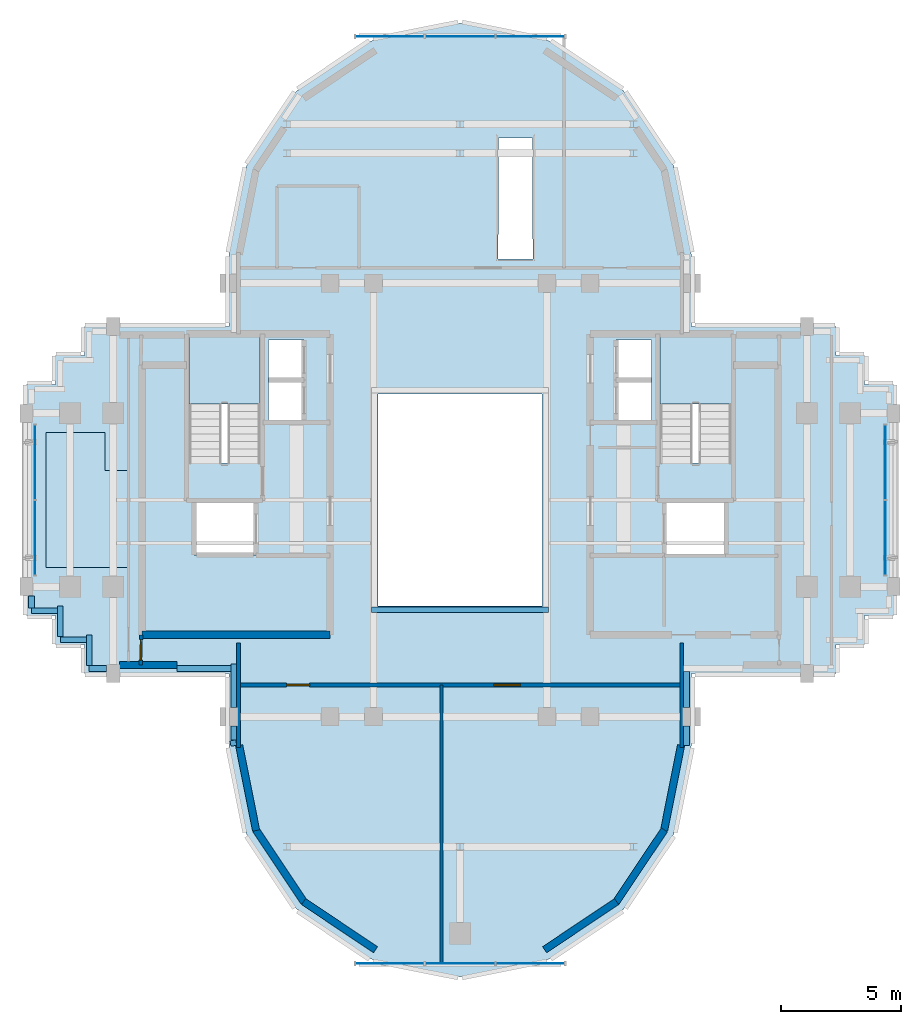
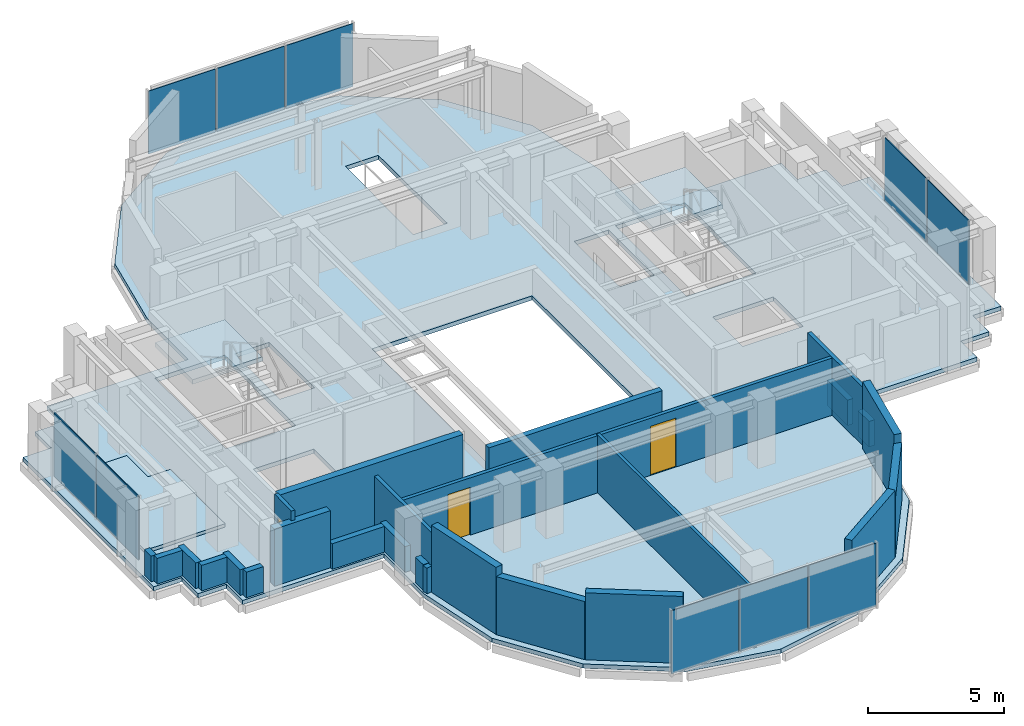
# One storey, part 7 of 12: 26 walls, 10 plates, 4 slabs, 3 doors, 3 openings, 6 elements without a shape of their own.
"""IFC4 building model written with IfcOpenShell, lengths in metres."""

import ifcopenshell
import ifcopenshell.guid

model = None  # the IFC model being written
_history = None  # IfcOwnerHistory: only IFC2X3 demands one
_inside = {}  # id of a spatial element -> (the spatial element, [elements in it])
_under = {}  # id of a project, library or spatial element -> (it, [spatial elements below it])
_declared = {}  # id of a project -> (the project, [libraries it declares])
_typed = {}  # id of a type object -> (the type object, [elements of that type])
_made_of = {}  # id of a material, layer set ... -> (it, [elements and type objects made of it])


def new_model(schema):
    """Start an empty IFC model of exactly this schema.

    Asked for "IFC4X3", IfcOpenShell would pick the latest addendum, in which some entities
    have other attributes; the version numbers below select the first issue.
    IFC2X3 requires an IfcOwnerHistory on every rooted entity: one is made here for all.
    """
    global model, _history
    if schema == "IFC4X3":
        model = ifcopenshell.file(schema_version=(4, 3, 0, 0))
    else:
        model = ifcopenshell.file(schema=schema)
    _inside.clear()
    _under.clear()
    _declared.clear()
    _typed.clear()
    _made_of.clear()
    _history = None
    if model.schema == "IFC2X3":
        org = make("IfcOrganization", Name="unknown")
        user = make(
            "IfcPersonAndOrganization",
            ThePerson=make("IfcPerson", FamilyName="unknown"),
            TheOrganization=org,
        )
        app = make(
            "IfcApplication",
            ApplicationDeveloper=org,
            Version="unknown",
            ApplicationFullName="unknown",
            ApplicationIdentifier="unknown",
        )
        _history = make(
            "IfcOwnerHistory",
            OwningUser=user,
            OwningApplication=app,
            ChangeAction="ADDED",
            CreationDate=0,
        )
    return model


def make(cls, **values):
    """One entity of the class cls with the attributes given. An attribute that is None is left unset."""
    return model.create_entity(
        cls, **{name: value for name, value in values.items() if value is not None}
    )


def rooted(cls, **values):
    """An entity with a GlobalId (a new one), such as an element, a storey or a relation."""
    return make(cls, GlobalId=ifcopenshell.guid.new(), OwnerHistory=_history, **values)


def si_unit(unit_type, name, prefix=None):
    """IfcSIUnit, for example si_unit("LENGTHUNIT", "METRE", prefix="MILLI")."""
    return make("IfcSIUnit", UnitType=unit_type, Prefix=prefix, Name=name)


def assignment(units):
    """IfcUnitAssignment: the units of a project."""
    return None if units is None else make("IfcUnitAssignment", Units=units)


def point(xyz):
    """IfcCartesianPoint."""
    return None if xyz is None else make("IfcCartesianPoint", Coordinates=xyz)


def direction(xyz):
    """IfcDirection."""
    return None if xyz is None else make("IfcDirection", DirectionRatios=xyz)


def frame(location, z_axis=None, x_axis=None):
    """IfcAxis2Placement3D, a coordinate frame: its origin and axes. An axis left out is left unset."""
    return make(
        "IfcAxis2Placement3D",
        Location=point(location),
        Axis=direction(z_axis),
        RefDirection=direction(x_axis),
    )


def frame_2d(location, x_axis=None):
    """IfcAxis2Placement2D, a coordinate frame in the plane: its origin and x axis."""
    return make(
        "IfcAxis2Placement2D", Location=point(location), RefDirection=direction(x_axis)
    )


def origin():
    """The frame at (0, 0, 0) with its axes left unset."""
    return frame((0.0, 0.0, 0.0))


def origin_2d():
    """The frame at (0, 0) in the plane with its x axis left unset."""
    return frame_2d((0.0, 0.0))


def place(relative_to, where):
    """IfcLocalPlacement: puts the frame where relative to a parent placement (None: the world)."""
    return make(
        "IfcLocalPlacement", PlacementRelTo=relative_to, RelativePlacement=where
    )


def context(
    kind, dimensions, precision=None, world=None, true_north=None, identifier=None
):
    """IfcGeometricRepresentationContext, for example the 3D "Model" context."""
    return make(
        "IfcGeometricRepresentationContext",
        ContextIdentifier=identifier,
        ContextType=kind,
        CoordinateSpaceDimension=dimensions,
        Precision=precision,
        WorldCoordinateSystem=world,
        TrueNorth=true_north,
    )


def subcontext(parent, identifier, kind, view, scale=None):
    """IfcGeometricRepresentationSubContext, for example "Body" below "Model"."""
    return make(
        "IfcGeometricRepresentationSubContext",
        ContextIdentifier=identifier,
        ContextType=kind,
        ParentContext=parent,
        TargetScale=scale,
        TargetView=view,
    )


def project(units=None, contexts=None):
    """IfcProject with its units and contexts."""
    return rooted(
        "IfcProject",
        Name="project",
        RepresentationContexts=contexts,
        UnitsInContext=assignment(units),
    )


def spatial(cls, under=None, at=None, **own):
    """A site, building, storey or space (cls), placed at a placement, below another one or the project."""
    s = rooted(cls, ObjectPlacement=at, **own)
    if under is not None:
        _under.setdefault(under.id(), (under, []))[1].append(s)
    return s


def polyline(points):
    """IfcPolyline through the points."""
    return make("IfcPolyline", Points=[point(p) for p in points])


def profile(cls, at=None, kind="AREA", **sizes):
    """A parametric profile (cls). Its sizes go by their IFC names, for example OverallWidth=200.0."""
    return make(cls, ProfileType=kind, Position=at, **sizes)


def rectangle(**sizes):
    """IfcRectangleProfileDef."""
    return profile("IfcRectangleProfileDef", **sizes)


def outline(outer, holes=None, kind="AREA"):
    """IfcArbitraryClosedProfileDef: a profile drawn as a closed curve; with holes, ...WithVoids."""
    if holes is None:
        return make("IfcArbitraryClosedProfileDef", ProfileType=kind, OuterCurve=outer)
    return make(
        "IfcArbitraryProfileDefWithVoids",
        ProfileType=kind,
        OuterCurve=outer,
        InnerCurves=holes,
    )


def extrude(swept, where, along, depth):
    """IfcExtrudedAreaSolid: the profile swept, set in the frame where, extruded along a direction by depth."""
    return make(
        "IfcExtrudedAreaSolid",
        SweptArea=swept,
        Position=where,
        ExtrudedDirection=direction(along),
        Depth=depth,
    )


def shape(context_of_items, identifier, shape_type, items):
    """IfcShapeRepresentation: the items that make up one representation, for example the "Body"."""
    return make(
        "IfcShapeRepresentation",
        ContextOfItems=context_of_items,
        RepresentationIdentifier=identifier,
        RepresentationType=shape_type,
        Items=items,
    )


def source(mapping_origin, context_of_items, identifier, shape_type, items):
    """IfcRepresentationMap: a shape defined once, which mapped items show again and again."""
    return make(
        "IfcRepresentationMap",
        MappingOrigin=mapping_origin,
        MappedRepresentation=shape(context_of_items, identifier, shape_type, items),
    )


def transform(
    local_origin,
    x_axis=None,
    y_axis=None,
    z_axis=None,
    scale=None,
    scale2=None,
    scale3=None,
    uniform=True,
):
    """IfcCartesianTransformationOperator3D, or its non-uniform kind. x_axis, y_axis, z_axis: its Axis1, 2, 3."""
    if uniform:
        return make(
            "IfcCartesianTransformationOperator3D",
            Axis1=direction(x_axis),
            Axis2=direction(y_axis),
            LocalOrigin=point(local_origin),
            Scale=scale,
            Axis3=direction(z_axis),
        )
    return make(
        "IfcCartesianTransformationOperator3DnonUniform",
        Axis1=direction(x_axis),
        Axis2=direction(y_axis),
        LocalOrigin=point(local_origin),
        Scale=scale,
        Axis3=direction(z_axis),
        Scale2=scale2,
        Scale3=scale3,
    )


def mapped(mapping_source, mapping_target):
    """IfcMappedItem: shows the shape of a source again, moved by a transform."""
    return make(
        "IfcMappedItem", MappingSource=mapping_source, MappingTarget=mapping_target
    )


def material(Name=None, Category=None):
    """IfcMaterial."""
    return make("IfcMaterial", Name=Name, Category=Category)


def layer(
    of_material, thickness, ventilated=None, Name=None, Category=None, Priority=None
):
    """IfcMaterialLayer: one layer of a wall or slab, of a material (None: an air gap)."""
    return make(
        "IfcMaterialLayer",
        Material=of_material,
        LayerThickness=thickness,
        IsVentilated=ventilated,
        Name=Name,
        Category=Category,
        Priority=Priority,
    )


def layer_set(layers, Name=None):
    """IfcMaterialLayerSet."""
    return make("IfcMaterialLayerSet", MaterialLayers=layers, LayerSetName=Name)


def made_of(thing, what):
    """Note that an element or type object is made of a material, layer set ...; save() writes the relation."""
    if what is not None:
        _made_of.setdefault(what.id(), (what, []))[1].append(thing)
    return thing


def type_object(cls, material=None, **own):
    """A type object (cls), such as IfcWallType, which elements share."""
    return made_of(rooted(cls, **own), material)


def element(
    cls,
    number,
    at=None,
    inside=None,
    cuts=None,
    type_object=None,
    material=None,
    context=None,
    identifier="Body",
    shape_type=None,
    held_by="IfcProductDefinitionShape",
    body=None,
    shapes=None,
    **own,
):
    """One element of the class cls, such as IfcWall. Its Tag is "e" and its number.

    at: its placement. inside: the storey or other place that contains it. cuts: it is an
    opening in that element (IfcRelVoidsElement). A single representation is given by context,
    identifier, shape_type and body (its items); several are given by shapes. held_by: the class
    of the entity that holds the representations. save() writes the other relations.
    """
    e = rooted(cls, Tag="e%d" % number, ObjectPlacement=at, **own)
    if body is not None:
        shapes = [shape(context, identifier, shape_type, body)]
    if shapes is not None:
        e.Representation = make(held_by, Representations=shapes)
    if inside is not None:
        _inside.setdefault(inside.id(), (inside, []))[1].append(e)
    if cuts is not None:
        rooted(
            "IfcRelVoidsElement", RelatingBuildingElement=cuts, RelatedOpeningElement=e
        )
    if type_object is not None:
        _typed.setdefault(type_object.id(), (type_object, []))[1].append(e)
    return made_of(e, material)


def fill(opening, filler):
    """IfcRelFillsElement: the door or window that sits in an opening."""
    return rooted(
        "IfcRelFillsElement",
        RelatingOpeningElement=opening,
        RelatedBuildingElement=filler,
    )


def aggregate(whole, parts):
    """IfcRelAggregates: a whole, such as a stair, and the parts it consists of."""
    return rooted("IfcRelAggregates", RelatingObject=whole, RelatedObjects=parts)


def save(model, path):
    """Write the relations noted so far, then the file.

    IfcRelAggregates (storeys below a building ...), IfcRelContainedInSpatialStructure (elements
    in a storey), IfcRelDefinesByType, IfcRelAssociatesMaterial and IfcRelDeclares: one each for
    every whole, place, type object, material and project.
    """
    for whole, parts in _under.values():
        aggregate(whole, parts)
    for where, things in _inside.values():
        rooted(
            "IfcRelContainedInSpatialStructure",
            RelatedElements=things,
            RelatingStructure=where,
        )
    for kind, things in _typed.values():
        rooted("IfcRelDefinesByType", RelatedObjects=things, RelatingType=kind)
    for what, things in _made_of.values():
        rooted("IfcRelAssociatesMaterial", RelatedObjects=things, RelatingMaterial=what)
    for by, libraries in _declared.values():
        rooted("IfcRelDeclares", RelatingContext=by, RelatedDefinitions=libraries)
    model.write(path)


model = new_model("IFC4")

# Units and contexts
model_context = context("Model", 3, precision=1e-05, world=origin(), true_north=direction((0.0, 1.0)))
body_context = subcontext(model_context, "Body", "Model", "MODEL_VIEW")
ifc_project = project(units=[si_unit("LENGTHUNIT", "METRE"), si_unit("AREAUNIT", "SQUARE_METRE"), si_unit("VOLUMEUNIT", "CUBIC_METRE"), si_unit("PLANEANGLEUNIT", "RADIAN"), si_unit("MASSUNIT", "GRAM", prefix="KILO")], contexts=[model_context])

# Site, building, storey
site_placement = place(None, origin())
site = spatial("IfcSite", under=ifc_project, at=site_placement, CompositionType="ELEMENT")
building_placement = place(site_placement, origin())
building = spatial("IfcBuilding", under=site, at=building_placement, Name="Keilestroom Media Tower", CompositionType="ELEMENT")
storey_placement = place(building_placement, frame((0.0, 0.0, 233.199951171875)))
storey = spatial("IfcBuildingStorey", under=building, at=storey_placement, Name="L64", CompositionType="ELEMENT", Elevation=233.199951171875)

# Slabs
ifc_material_1 = material(Name="Concrete C50/60", Category="concrete")
ifc_layer_1 = layer(ifc_material_1, 0.18994140625)
ifc_layer_set_1 = layer_set([ifc_layer_1], Name="Concrete C50/60")
slab_type_1 = type_object("IfcSlabType", Name="Composite-Floor-Slab-190", PredefinedType="FLOOR", material=ifc_layer_set_1)
slab_1_placement = place(storey_placement, frame((0.0, 0.0, -0.18994140625)))
element("IfcSlab", 1, at=slab_1_placement, inside=storey, type_object=slab_type_1, Name="L64 Structural Composite Floor Slab", PredefinedType="FLOOR", context=body_context, shape_type="SweptSolid", body=[
    extrude(outline(polyline([(18.0, -4.800048828125), (18.0, 4.800048828125), (16.800048828125, 4.800048828125), (16.800048828125, 6.0), (15.60009765625, 6.0), (15.60009765625, 7.199951171875), (9.60009765625, 7.199951171875), (9.60009765625, 9.60009765625), (9.60009765625, 10.199951171875), (8.869140625, 13.873779296875), (6.7880859375, 16.98828125), (3.673828125, 19.069091796875), (0.0, 19.800048828125), (-3.673828125, 19.069091796875), (-6.7880859375, 16.98828125), (-8.869140625, 13.873779296875), (-9.60009765625, 10.199951171875), (-9.60009765625, 9.60009765625), (-9.60009765625, 7.199951171875), (-15.60009765625, 7.199951171875), (-15.60009765625, 6.0), (-16.800048828125, 6.0), (-16.800048828125, 4.800048828125), (-18.0, 4.800048828125), (-18.0, -4.800048828125), (-16.800048828125, -4.800048828125), (-16.800048828125, -6.0), (-15.60009765625, -6.0), (-15.60009765625, -7.199951171875), (-9.60009765625, -7.199951171875), (-9.60009765625, -9.60009765625), (-9.60009765625, -10.199951171875), (-8.869140625, -13.873779296875), (-6.7880859375, -16.98828125), (-3.673828125, -19.069091796875), (0.0, -19.800048828125), (3.673828125, -19.069091796875), (6.7880859375, -16.98828125), (8.869140625, -13.873779296875), (9.60009765625, -10.199951171875), (9.60009765625, -9.60009765625), (9.60009765625, -7.199951171875), (15.60009765625, -7.199951171875), (15.60009765625, -6.0), (16.800048828125, -6.0), (16.800048828125, -4.800048828125), (18.0, -4.800048828125)]), holes=[polyline([(-8.300048828125, 6.760009765625), (-8.300048828125, 1.544921875), (-11.260009765625, 1.544921875), (-11.260009765625, 6.760009765625), (-8.300048828125, 6.760009765625)]), polyline([(-8.47998046875, -0.10009765625), (-8.47998046875, -2.280029296875), (-11.050048828125, -2.280029296875), (-11.050048828125, -0.10009765625), (-8.47998046875, -0.10009765625)]), polyline([(-6.47998046875, 6.64990234375), (-6.47998046875, 3.300048828125), (-7.949951171875, 3.300048828125), (-7.949951171875, 6.64990234375), (-6.47998046875, 6.64990234375)]), polyline([(3.39990234375, 4.39990234375), (3.39990234375, -4.39990234375), (-3.39990234375, -4.39990234375), (-3.39990234375, 4.39990234375), (3.39990234375, 4.39990234375)]), polyline([(3.02001953125, 10.0), (1.580078125, 10.0), (1.60009765625, 15.034912109375), (3.0, 15.034912109375), (3.02001953125, 10.0)]), polyline([(7.949951171875, 6.64990234375), (7.949951171875, 3.300048828125), (6.47998046875, 3.300048828125), (6.47998046875, 6.64990234375), (7.949951171875, 6.64990234375)]), polyline([(11.260009765625, 6.760009765625), (11.260009765625, 1.544921875), (8.300048828125, 1.544921875), (8.300048828125, 6.760009765625), (11.260009765625, 6.760009765625)]), polyline([(11.050048828125, -0.10009765625), (11.050048828125, -2.280029296875), (8.47998046875, -2.280029296875), (8.47998046875, -0.10009765625), (11.050048828125, -0.10009765625)])]), origin(), (0.0, 0.0, 1.0), 0.18994140625),
])
ifc_material_2 = material(Name="Concrete C45/55", Category="concrete")
ifc_layer_2 = layer(ifc_material_2, 0.14990234375)
ifc_layer_set_2 = layer_set([ifc_layer_2], Name="Concrete C45/55")
slab_type_2 = type_object("IfcSlabType", Name="Floating-Studio-Floor-Slab-150", PredefinedType="FLOOR", material=ifc_layer_set_2)
slab_2_placement = place(storey_placement, origin())
element("IfcSlab", 2, at=slab_2_placement, inside=storey, type_object=slab_type_2, Name="L64 Acoustic Floating Studio Slab ST-INV-Z4", PredefinedType="FLOOR", context=body_context, shape_type="SweptSolid", body=[
    extrude(outline(polyline([(-17.199951171875, -2.800048828125), (-13.800048828125, -2.800048828125), (-13.800048828125, 1.23193359375), (-14.751953125, 1.23193359375), (-14.751953125, 2.800048828125), (-17.199951171875, 2.800048828125), (-17.199951171875, -2.800048828125)])), origin(), (0.0, 0.0, 1.0), 0.150146484375),
])

# Stair, slab
stair_type = type_object("IfcStairType", Name="Enclosed-Dog-Leg-Stair-ST-CORE", PredefinedType="HALF_TURN_STAIR", material=ifc_material_2)
stair_1_placement = place(storey_placement, origin())
stair_1 = element("IfcStair", 3, at=stair_1_placement, inside=storey, type_object=stair_type, Name="L64 West Core Escape Stair ST-1", PredefinedType="HALF_TURN_STAIR")
ifc_layer_3 = layer(ifc_material_2, 0.199951171875)
ifc_layer_set_3 = layer_set([ifc_layer_3], Name="Concrete C45/55")
slab_type_3 = type_object("IfcSlabType", Name="Stair-Intermediate-And-Top-Landing-Slab-200", PredefinedType="LANDING", material=ifc_layer_set_3)
slab_3_placement = place(storey_placement, frame((0.0, 0.0, 1.400146484375)))
slab_3 = element("IfcSlab", 4, at=slab_3_placement, type_object=slab_type_3, Name="ST-1 landing 1", PredefinedType="LANDING", context=body_context, shape_type="SweptSolid", body=[
    extrude(outline(polyline([(-8.300048828125, 3.99609375), (-8.300048828125, 6.760009765625), (-11.260009765625, 6.760009765625), (-11.260009765625, 3.99609375), (-8.300048828125, 3.99609375)])), origin(), (0.0, 0.0, 1.0), 0.199951171875),
])
aggregate(stair_1, [slab_3])

stair_2_placement = place(storey_placement, origin())
stair_2 = element("IfcStair", 5, at=stair_2_placement, inside=storey, type_object=stair_type, Name="L64 East Core Escape Stair ST-2", PredefinedType="HALF_TURN_STAIR")
slab_4_placement = place(storey_placement, frame((0.0, 0.0, 1.400146484375)))
slab_4 = element("IfcSlab", 6, at=slab_4_placement, type_object=slab_type_3, Name="ST-2 landing 1", PredefinedType="LANDING", context=body_context, shape_type="SweptSolid", body=[
    extrude(outline(polyline([(11.260009765625, 3.99609375), (11.260009765625, 6.760009765625), (8.300048828125, 6.760009765625), (8.300048828125, 3.99609375), (11.260009765625, 3.99609375)])), origin(), (0.0, 0.0, 1.0), 0.199951171875),
])
aggregate(stair_2, [slab_4])

# Curtain wall, plates
ifc_material_3 = material(Name="Anodised Aluminium Alloy", Category="aluminium")
curtain_wall_type_1 = type_object("IfcCurtainWallType", Name="Unitised-Curtain-Wall-CW-6", PredefinedType="NOTDEFINED", material=ifc_material_3)
curtain_wall_1_placement = place(storey_placement, origin())
curtain_wall_1 = element("IfcCurtainWall", 7, at=curtain_wall_1_placement, inside=storey, type_object=curtain_wall_type_1, Name="L64 Curtain Wall CW-6 CW-L64-LN-1", PredefinedType="NOTDEFINED")
ifc_material_4 = material(Name="Curved-Facet Triple Glazed Unit", Category="glass")
ifc_layer_4 = layer(ifc_material_4, 0.033935546875)
ifc_layer_set_4 = layer_set([ifc_layer_4], Name="Curved-Facet Triple Glazed Unit")
plate_type_1 = type_object("IfcPlateType", Name="Insulated-Curtain-Wall-Glazing-Panel-CW-6", PredefinedType="CURTAIN_PANEL", material=ifc_layer_set_4)
shared_shape_1 = source(origin(), body_context, "Body", "SweptSolid", [
    extrude(rectangle(XDim=2.84375, YDim=0.033935546875, at=origin_2d()), origin(), (0.0, 0.0, 1.0), 2.833984375),
])
plate_1_placement = place(storey_placement, frame((-2.9169921875, 19.25, 0.072998046875), z_axis=(0.0, 0.0, 1.0), x_axis=(1.0, 0.0, 0.0)))
plate_1 = element("IfcPlate", 8, at=plate_1_placement, type_object=plate_type_1, Name="CW-6 Unitised Glazing 00", PredefinedType="CURTAIN_PANEL", context=body_context, shape_type="MappedRepresentation", body=[
    mapped(shared_shape_1, transform((0.0, 0.0, 0.0), x_axis=(1.0, 0.0, 0.0), y_axis=(0.0, 1.0, 0.0), z_axis=(0.0, 0.0, 1.0), scale=1.0)),
])
plate_2_placement = place(storey_placement, frame((2.9169921875, 19.25, 0.072998046875), z_axis=(0.0, 0.0, 1.0), x_axis=(1.0, 0.0, 0.0)))
plate_2 = element("IfcPlate", 9, at=plate_2_placement, type_object=plate_type_1, Name="CW-6 Unitised Glazing 02", PredefinedType="CURTAIN_PANEL", context=body_context, shape_type="MappedRepresentation", body=[
    mapped(shared_shape_1, transform((0.0, 0.0, 0.0), x_axis=(1.0, 0.0, 0.0), y_axis=(0.0, 1.0, 0.0), z_axis=(0.0, 0.0, 1.0), scale=1.0)),
])

curtain_wall_2_placement = place(storey_placement, origin())
curtain_wall_2 = element("IfcCurtainWall", 10, at=curtain_wall_2_placement, inside=storey, type_object=curtain_wall_type_1, Name="L64 Curtain Wall CW-6 CW-L64-LS-1", PredefinedType="NOTDEFINED")
plate_3_placement = place(storey_placement, frame((-2.9169921875, -19.25, 0.072998046875), z_axis=(0.0, 0.0, 1.0), x_axis=(1.0, 0.0, 0.0)))
plate_3 = element("IfcPlate", 11, at=plate_3_placement, type_object=plate_type_1, Name="CW-6 Unitised Glazing 00", PredefinedType="CURTAIN_PANEL", context=body_context, shape_type="MappedRepresentation", body=[
    mapped(shared_shape_1, transform((0.0, 0.0, 0.0), x_axis=(1.0, 0.0, 0.0), y_axis=(0.0, 1.0, 0.0), z_axis=(0.0, 0.0, 1.0), scale=1.0)),
])
plate_4_placement = place(storey_placement, frame((2.9169921875, -19.25, 0.072998046875), z_axis=(0.0, 0.0, 1.0), x_axis=(1.0, 0.0, 0.0)))
plate_4 = element("IfcPlate", 12, at=plate_4_placement, type_object=plate_type_1, Name="CW-6 Unitised Glazing 02", PredefinedType="CURTAIN_PANEL", context=body_context, shape_type="MappedRepresentation", body=[
    mapped(shared_shape_1, transform((0.0, 0.0, 0.0), x_axis=(1.0, 0.0, 0.0), y_axis=(0.0, 1.0, 0.0), z_axis=(0.0, 0.0, 1.0), scale=1.0)),
])

# Plate
shared_shape_2 = source(origin(), body_context, "Body", "SweptSolid", [
    extrude(rectangle(XDim=2.876220703125, YDim=0.033935546875, at=origin_2d()), origin(), (0.0, 0.0, 1.0), 2.833984375),
])
plate_5_placement = place(storey_placement, frame((0.0, 19.25, 0.072998046875), z_axis=(0.0, 0.0, 1.0), x_axis=(1.0, 0.0, 0.0)))
plate_5 = element("IfcPlate", 13, at=plate_5_placement, type_object=plate_type_1, Name="CW-6 Unitised Glazing 01", PredefinedType="CURTAIN_PANEL", context=body_context, shape_type="MappedRepresentation", body=[
    mapped(shared_shape_2, transform((0.0, 0.0, 0.0), x_axis=(1.0, 0.0, 0.0), y_axis=(0.0, 1.0, 0.0), z_axis=(0.0, 0.0, 1.0), scale=1.0)),
])

aggregate(curtain_wall_1, [plate_1, plate_5, plate_2])

plate_6_placement = place(storey_placement, frame((0.0, -19.25, 0.072998046875), z_axis=(0.0, 0.0, 1.0), x_axis=(1.0, 0.0, 0.0)))
plate_6 = element("IfcPlate", 14, at=plate_6_placement, type_object=plate_type_1, Name="CW-6 Unitised Glazing 01", PredefinedType="CURTAIN_PANEL", context=body_context, shape_type="MappedRepresentation", body=[
    mapped(shared_shape_2, transform((0.0, 0.0, 0.0), x_axis=(1.0, 0.0, 0.0), y_axis=(0.0, 1.0, 0.0), z_axis=(0.0, 0.0, 1.0), scale=1.0)),
])

aggregate(curtain_wall_2, [plate_3, plate_6, plate_4])

# Curtain wall, plates
curtain_wall_type_2 = type_object("IfcCurtainWallType", Name="Unitised-Curtain-Wall-CW-4", PredefinedType="NOTDEFINED", material=ifc_material_3)
curtain_wall_3_placement = place(storey_placement, origin())
curtain_wall_3 = element("IfcCurtainWall", 15, at=curtain_wall_3_placement, inside=storey, type_object=curtain_wall_type_2, Name="L64 Curtain Wall CW-4 CW-L64-W-1", PredefinedType="NOTDEFINED")
ifc_material_5 = material(Name="Triple Glazed Solar-Control Unit", Category="glass")
ifc_layer_5 = layer(ifc_material_5, 0.035888671875)
ifc_layer_set_5 = layer_set([ifc_layer_5], Name="Triple Glazed Solar-Control Unit")
plate_type_2 = type_object("IfcPlateType", Name="Insulated-Curtain-Wall-Glazing-Panel-CW-4", PredefinedType="CURTAIN_PANEL", material=ifc_layer_set_5)
shared_shape_3 = source(origin(), body_context, "Body", "SweptSolid", [
    extrude(rectangle(XDim=3.0830078125, YDim=0.035888671875, at=origin_2d()), origin(), (0.0, 0.0, 1.0), 2.85400390625),
])
plate_7_placement = place(storey_placement, frame((-17.64990234375, -1.5673828125, 0.06298828125), z_axis=(0.0, 0.0, 1.0), x_axis=(0.0, 1.0, 0.0)))
plate_7 = element("IfcPlate", 16, at=plate_7_placement, type_object=plate_type_2, Name="CW-4 Unitised Glazing 00", PredefinedType="CURTAIN_PANEL", context=body_context, shape_type="MappedRepresentation", body=[
    mapped(shared_shape_3, transform((0.0, 0.0, 0.0), x_axis=(1.0, 0.0, 0.0), y_axis=(0.0, 1.0, 0.0), z_axis=(0.0, 0.0, 1.0), scale=1.0)),
])
plate_8_placement = place(storey_placement, frame((-17.64990234375, 1.5673828125, 0.06298828125), z_axis=(0.0, 0.0, 1.0), x_axis=(0.0, 1.0, 0.0)))
plate_8 = element("IfcPlate", 17, at=plate_8_placement, type_object=plate_type_2, Name="CW-4 Unitised Glazing 01", PredefinedType="CURTAIN_PANEL", context=body_context, shape_type="MappedRepresentation", body=[
    mapped(shared_shape_3, transform((0.0, 0.0, 0.0), x_axis=(1.0, 0.0, 0.0), y_axis=(0.0, 1.0, 0.0), z_axis=(0.0, 0.0, 1.0), scale=1.0)),
])
aggregate(curtain_wall_3, [plate_7, plate_8])

curtain_wall_4_placement = place(storey_placement, origin())
curtain_wall_4 = element("IfcCurtainWall", 18, at=curtain_wall_4_placement, inside=storey, type_object=curtain_wall_type_2, Name="L64 Curtain Wall CW-4 CW-L64-E-1", PredefinedType="NOTDEFINED")
plate_9_placement = place(storey_placement, frame((17.64990234375, -1.5673828125, 0.06298828125), z_axis=(0.0, 0.0, 1.0), x_axis=(0.0, 1.0, 0.0)))
plate_9 = element("IfcPlate", 19, at=plate_9_placement, type_object=plate_type_2, Name="CW-4 Unitised Glazing 00", PredefinedType="CURTAIN_PANEL", context=body_context, shape_type="MappedRepresentation", body=[
    mapped(shared_shape_3, transform((0.0, 0.0, 0.0), x_axis=(1.0, 0.0, 0.0), y_axis=(0.0, 1.0, 0.0), z_axis=(0.0, 0.0, 1.0), scale=1.0)),
])
plate_10_placement = place(storey_placement, frame((17.64990234375, 1.5673828125, 0.06298828125), z_axis=(0.0, 0.0, 1.0), x_axis=(0.0, 1.0, 0.0)))
plate_10 = element("IfcPlate", 20, at=plate_10_placement, type_object=plate_type_2, Name="CW-4 Unitised Glazing 01", PredefinedType="CURTAIN_PANEL", context=body_context, shape_type="MappedRepresentation", body=[
    mapped(shared_shape_3, transform((0.0, 0.0, 0.0), x_axis=(1.0, 0.0, 0.0), y_axis=(0.0, 1.0, 0.0), z_axis=(0.0, 0.0, 1.0), scale=1.0)),
])
aggregate(curtain_wall_4, [plate_9, plate_10])

# Walls
ifc_material_6 = material(Name="Precast concrete C40/50", Category="concrete")
ifc_layer_6 = layer(ifc_material_6, 0.300048828125)
ifc_layer_set_6 = layer_set([ifc_layer_6], Name="Precast concrete C40/50")
wall_type_1 = type_object("IfcWallType", Name="Exterior-Masonry-Spandrel-Wall-300", PredefinedType="SOLIDWALL", material=ifc_layer_set_6)
wall_1_placement = place(storey_placement, frame((-14.133056640625, -6.85009765625, 0.0), z_axis=(0.0, 0.0, 1.0), x_axis=(1.0, 0.0, 0.0)))
element("IfcWall", 21, at=wall_1_placement, inside=storey, type_object=wall_type_1, Name="L64 Flank Masonry Wall EWL-L64-SW-1", PredefinedType="SOLIDWALL", context=body_context, shape_type="SweptSolid", body=[
    extrude(rectangle(XDim=2.383056640625, YDim=0.300048828125, at=frame_2d((1.19140625, 0.0))), origin(), (0.0, 0.0, 1.0), 2.570068359375),
])
wall_2_placement = place(storey_placement, frame((-9.1748046875, -10.185302734375, 0.0), z_axis=(0.0, 0.0, 1.0), x_axis=(0.195114232679, -0.980780523974, 0.0)))
element("IfcWall", 22, at=wall_2_placement, inside=storey, type_object=wall_type_1, Name="L64 Lobe Facet Precast Frame Wall 07", PredefinedType="SOLIDWALL", context=body_context, shape_type="SweptSolid", body=[
    extrude(rectangle(XDim=3.608642578125, YDim=0.300048828125, at=frame_2d((1.80419921875, 0.0))), origin(), (0.0, 0.0, 1.0), 3.010009765625),
])
wall_3_placement = place(storey_placement, frame((-8.48193359375, -13.697509765625, 0.0), z_axis=(0.0, 0.0, 1.0), x_axis=(0.555574187116, -0.831466970246, 0.0)))
element("IfcWall", 23, at=wall_3_placement, inside=storey, type_object=wall_type_1, Name="L64 Lobe Facet Precast Frame Wall 08", PredefinedType="SOLIDWALL", context=body_context, shape_type="SweptSolid", body=[
    extrude(rectangle(XDim=3.608642578125, YDim=0.300048828125, at=frame_2d((1.80419921875, 0.0))), origin(), (0.0, 0.0, 1.0), 2.610107421875),
])
for number, where, z_axis, x_axis, name in (
    (24, (-6.497802734375, -16.677001953125, 0.0), (0.0, 0.0, 1.0), (0.831443568068, -0.555609208993, 0.0), "L64 Lobe Facet Precast Frame Wall 09"),
    (25, (3.510009765625, -18.673583984375, 0.0), (0.0, 0.0, 1.0), (0.831443568068, 0.555609208993, 0.0), "L64 Lobe Facet Precast Frame Wall 10"),
):
    element("IfcWall", number, at=place(storey_placement, frame(where, z_axis=z_axis, x_axis=x_axis)), inside=storey, type_object=wall_type_1, Name=name, PredefinedType="SOLIDWALL", context=body_context, shape_type="SweptSolid", body=[
        extrude(rectangle(XDim=3.593505859375, YDim=0.300048828125, at=frame_2d((1.796875, 0.0))), origin(), (0.0, 0.0, 1.0), 3.010009765625),
    ])
wall_4_placement = place(storey_placement, frame((6.47705078125, -16.697998046875, 0.0), z_axis=(0.0, 0.0, 1.0), x_axis=(0.555574187116, 0.831466970246, 0.0)))
element("IfcWall", 26, at=wall_4_placement, inside=storey, type_object=wall_type_1, Name="L64 Lobe Facet Precast Frame Wall 11", PredefinedType="SOLIDWALL", context=body_context, shape_type="SweptSolid", body=[
    extrude(rectangle(XDim=3.608642578125, YDim=0.300048828125, at=frame_2d((1.80419921875, 0.0))), origin(), (0.0, 0.0, 1.0), 2.610107421875),
])
wall_5_placement = place(storey_placement, frame((8.470703125, -13.724609375, 0.0), z_axis=(0.0, 0.0, 1.0), x_axis=(0.195114232679, 0.980780523974, 0.0)))
element("IfcWall", 27, at=wall_5_placement, inside=storey, type_object=wall_type_1, Name="L64 Lobe Facet Precast Frame Wall 12", PredefinedType="SOLIDWALL", context=body_context, shape_type="SweptSolid", body=[
    extrude(rectangle(XDim=3.608642578125, YDim=0.300048828125, at=frame_2d((1.80419921875, 0.0))), origin(), (0.0, 0.0, 1.0), 3.010009765625),
])
ifc_material_7 = material(Name="Gypsum Plasterboard & Steel Stud", Category="steel")
ifc_layer_7 = layer(ifc_material_7, 0.1201171875)
ifc_layer_set_7 = layer_set([ifc_layer_7], Name="Gypsum Plasterboard & Steel Stud")
wall_type_2 = type_object("IfcWallType", Name="Interior-Partition-Wall-120", PredefinedType="PARTITIONING", material=ifc_layer_set_7)
wall_6_placement = place(storey_placement, frame((-0.780029296875, -19.25, 0.0), z_axis=(0.0, 0.0, 1.0), x_axis=(0.0, 1.0, 0.0)))
element("IfcWall", 28, at=wall_6_placement, inside=storey, type_object=wall_type_2, Name="L64 Interior Wall WP-L64-SL-VS", PredefinedType="PARTITIONING", context=body_context, shape_type="SweptSolid", body=[
    extrude(rectangle(XDim=11.570068359375, YDim=0.1201171875, at=frame_2d((5.78515625, 0.0))), origin(), (0.0, 0.0, 1.0), 2.610107421875),
])

# Wall, openings, doors
ifc_layer_8 = layer(ifc_material_7, 0.14990234375)
ifc_layer_set_8 = layer_set([ifc_layer_8], Name="Gypsum Plasterboard & Steel Stud")
wall_type_3 = type_object("IfcWallType", Name="Interior-Partition-Wall-150", PredefinedType="PARTITIONING", material=ifc_layer_set_8)
wall_7_placement = place(storey_placement, frame((-9.199951171875, -7.679931640625, 0.0), z_axis=(0.0, 0.0, 1.0), x_axis=(1.0, 0.0, 0.0)))
wall_7 = element("IfcWall", 29, at=wall_7_placement, inside=storey, type_object=wall_type_3, Name="L64 Interior Wall WP-L64-SL-BASE", PredefinedType="PARTITIONING", context=body_context, shape_type="SweptSolid", body=[
    extrude(rectangle(XDim=18.39990234375, YDim=0.14990234375, at=frame_2d((9.199951171875, 0.0))), origin(), (0.0, 0.0, 1.0), 2.570068359375),
])
opening_1_placement = place(wall_7_placement, frame((2.0, 0.0, 0.0)))
opening_1 = element("IfcOpeningElement", 30, at=opening_1_placement, cuts=wall_7, Name="Opening DI-03", PredefinedType="OPENING", context=body_context, shape_type="SweptSolid", body=[
    extrude(rectangle(XDim=0.949951171875, YDim=2.14990234375, at=frame_2d((0.47509765625, 1.074951171875))), frame((0.0, 0.0849609375, 0.0), z_axis=(0.0, -1.0, 0.0), x_axis=(1.0, 0.0, 0.0)), (0.0, 0.0, 1.0), 0.169921875),
])
opening_2_placement = place(wall_7_placement, frame((10.60009765625, 0.0, 0.0)))
opening_2 = element("IfcOpeningElement", 31, at=opening_2_placement, cuts=wall_7, Name="Opening DI-04", PredefinedType="OPENING", context=body_context, shape_type="SweptSolid", body=[
    extrude(rectangle(XDim=1.10009765625, YDim=2.199951171875, at=frame_2d((0.550048828125, 1.10009765625))), frame((0.0, 0.0849609375, 0.0), z_axis=(0.0, -1.0, 0.0), x_axis=(1.0, 0.0, 0.0)), (0.0, 0.0, 1.0), 0.169921875),
])
ifc_material_8 = material(Name="Lacquered European Oak Leaf", Category="wood")
door_type_1 = type_object("IfcDoorType", Name="Interior-Room-And-Suite-Door-DI-03", OperationType="NOTDEFINED", PredefinedType="DOOR", material=ifc_material_8)
shared_shape_4 = source(origin(), body_context, "Body", "SweptSolid", [
    extrude(rectangle(XDim=0.949951171875, YDim=2.14990234375, at=frame_2d((0.47509765625, 1.074951171875))), frame((0.0, 0.02490234375, 0.0), z_axis=(0.0, -1.0, 0.0), x_axis=(1.0, 0.0, 0.0)), (0.0, 0.0, 1.0), 0.050048828125),
])
door_1_placement = place(opening_1_placement, origin())
door_1 = element("IfcDoor", 32, at=door_1_placement, inside=storey, type_object=door_type_1, Name="L64 Interior Door DI-L64-DSL-W", OperationType="SINGLE_SWING_RIGHT", OverallHeight=2.14990234375, OverallWidth=0.949951171875, PredefinedType="DOOR", context=body_context, shape_type="MappedRepresentation", body=[
    mapped(shared_shape_4, transform((0.0, 0.0, 0.0), x_axis=(1.0, 0.0, 0.0), y_axis=(0.0, 1.0, 0.0), z_axis=(0.0, 0.0, 1.0), scale=1.0)),
])
fill(opening_1, door_1)
ifc_material_9 = material(Name="Acoustic Glazed Aluminium Leaf", Category="aluminium")
door_type_2 = type_object("IfcDoorType", Name="Interior-Room-And-Suite-Door-DI-04", OperationType="NOTDEFINED", PredefinedType="DOOR", material=ifc_material_9)
shared_shape_5 = source(origin(), body_context, "Body", "SweptSolid", [
    extrude(rectangle(XDim=1.10009765625, YDim=2.199951171875, at=frame_2d((0.550048828125, 1.10009765625))), frame((0.0, 0.02490234375, 0.0), z_axis=(0.0, -1.0, 0.0), x_axis=(1.0, 0.0, 0.0)), (0.0, 0.0, 1.0), 0.050048828125),
])
door_2_placement = place(opening_2_placement, origin())
door_2 = element("IfcDoor", 33, at=door_2_placement, inside=storey, type_object=door_type_2, Name="L64 Interior Door DI-L64-DSL-E", OperationType="SINGLE_SWING_LEFT", OverallHeight=2.199951171875, OverallWidth=1.10009765625, PredefinedType="DOOR", context=body_context, shape_type="MappedRepresentation", body=[
    mapped(shared_shape_5, transform((0.0, 0.0, 0.0), x_axis=(1.0, 0.0, 0.0), y_axis=(0.0, 1.0, 0.0), z_axis=(0.0, 0.0, 1.0), scale=1.0)),
])
fill(opening_2, door_2)

# Walls
for number, where, z_axis, x_axis, name in (
    (34, (-9.199951171875, -10.280029296875, 0.0), (0.0, 0.0, 1.0), (0.0, 1.0, 0.0), "L64 Interior Wall WP-L64-SL-CHKW"),
    (35, (9.199951171875, -10.280029296875, 0.0), (0.0, 0.0, 1.0), (0.0, 1.0, 0.0), "L64 Interior Wall WP-L64-SL-CHKE"),
):
    element("IfcWall", number, at=place(storey_placement, frame(where, z_axis=z_axis, x_axis=x_axis)), inside=storey, type_object=wall_type_3, Name=name, PredefinedType="PARTITIONING", context=body_context, shape_type="SweptSolid", body=[
        extrude(rectangle(XDim=4.340087890625, YDim=0.14990234375, at=frame_2d((2.169921875, 0.0))), origin(), (0.0, 0.0, 1.0), 2.610107421875),
    ])

# Wall, opening, door
wall_8_placement = place(storey_placement, frame((-13.260009765625, -6.85009765625, 0.0), z_axis=(0.0, 0.0, 1.0), x_axis=(0.016013571389, 0.999871774545, 0.0)))
wall_8 = element("IfcWall", 36, at=wall_8_placement, inside=storey, type_object=wall_type_3, Name="L64 Interior Wall WP-L64-WA-ENTS", PredefinedType="PARTITIONING", context=body_context, shape_type="SweptSolid", body=[
    extrude(rectangle(XDim=1.250244140625, YDim=0.14990234375, at=frame_2d((0.625, 0.0))), origin(), (0.0, 0.0, 1.0), 3.010009765625),
])
opening_3_placement = place(wall_8_placement, frame((0.199951171875, 0.0, 0.0)))
opening_3 = element("IfcOpeningElement", 37, at=opening_3_placement, cuts=wall_8, Name="Opening DI-05", PredefinedType="OPENING", context=body_context, shape_type="SweptSolid", body=[
    extrude(rectangle(XDim=0.85009765625, YDim=2.10009765625, at=frame_2d((0.425048828125, 1.050048828125))), frame((0.0, 0.0849609375, 0.0), z_axis=(0.0, -1.0, 0.0), x_axis=(1.0, 0.0, 0.0)), (0.0, 0.0, 1.0), 0.169921875),
])
ifc_material_10 = material(Name="Moisture-Resistant Oak Leaf", Category="wood")
door_type_3 = type_object("IfcDoorType", Name="Interior-En-Suite-And-Cupboard-Door-DI-05", OperationType="NOTDEFINED", PredefinedType="DOOR", material=ifc_material_10)
shared_shape_6 = source(origin(), body_context, "Body", "SweptSolid", [
    extrude(rectangle(XDim=0.85009765625, YDim=2.10009765625, at=frame_2d((0.425048828125, 1.050048828125))), frame((0.0, 0.02490234375, 0.0), z_axis=(0.0, -1.0, 0.0), x_axis=(1.0, 0.0, 0.0)), (0.0, 0.0, 1.0), 0.050048828125),
])
door_3_placement = place(opening_3_placement, origin())
door_3 = element("IfcDoor", 38, at=door_3_placement, inside=storey, type_object=door_type_3, Name="L64 Interior Door DI-L64-DWA-ENTS", OperationType="SINGLE_SWING_RIGHT", OverallHeight=2.10009765625, OverallWidth=0.85009765625, PredefinedType="DOOR", context=body_context, shape_type="MappedRepresentation", body=[
    mapped(shared_shape_6, transform((0.0, 0.0, 0.0), x_axis=(1.0, 0.0, 0.0), y_axis=(0.0, 1.0, 0.0), z_axis=(0.0, 0.0, 1.0), scale=1.0)),
])
fill(opening_3, door_3)

# Walls
ifc_layer_9 = layer(ifc_material_1, 0.300048828125)
ifc_layer_set_9 = layer_set([ifc_layer_9], Name="Concrete C50/60")
wall_type_4 = type_object("IfcWallType", Name="Reinforced-Concrete-Core-Shear-Wall-300", PredefinedType="SHEAR", material=ifc_layer_set_9)
wall_9_placement = place(storey_placement, frame((-13.199951171875, -5.60009765625, 0.0), z_axis=(0.0, 0.0, 1.0), x_axis=(1.0, 0.0, 0.0)))
element("IfcWall", 39, at=wall_9_placement, inside=storey, type_object=wall_type_4, Name="L64 Core Shear Wall WL-L64-CORE-W-S", PredefinedType="SHEAR", context=body_context, shape_type="SweptSolid", body=[
    extrude(rectangle(XDim=7.800048828125, YDim=0.300048828125, at=frame_2d((3.89990234375, 0.0))), origin(), (0.0, 0.0, 1.0), 3.010009765625),
])
ifc_layer_10 = layer(ifc_material_6, 0.239990234375)
ifc_layer_set_10 = layer_set([ifc_layer_10], Name="Precast concrete C40/50")
wall_type_5 = type_object("IfcWallType", Name="Roof-And-Terrace-Parapet-Wall-240", PredefinedType="PARAPET", material=ifc_layer_set_10)
wall_10_placement = place(storey_placement, frame((9.39990234375, -7.123046875, 0.0), z_axis=(0.0, 0.0, 1.0), x_axis=(0.0, -1.0, 0.0)))
element("IfcWall", 40, at=wall_10_placement, inside=storey, type_object=wall_type_5, Name="L64 Perimeter Edge Parapet Wall 08", PredefinedType="PARAPET", context=body_context, shape_type="SweptSolid", body=[
    extrude(rectangle(XDim=1.4990234375, YDim=0.239990234375, at=frame_2d((0.74951171875, 0.0))), origin(), (0.0, 0.0, 1.0), 1.150146484375),
])
wall_11_placement = place(storey_placement, frame((9.39990234375, -9.3779296875, 0.0), z_axis=(0.0, 0.0, 1.0), x_axis=(0.0, -1.0, 0.0)))
element("IfcWall", 41, at=wall_11_placement, inside=storey, type_object=wall_type_5, Name="L64 Perimeter Edge Parapet Wall 09", PredefinedType="PARAPET", context=body_context, shape_type="SweptSolid", body=[
    extrude(rectangle(XDim=0.824951171875, YDim=0.239990234375, at=frame_2d((0.41259765625, 0.0))), origin(), (0.0, 0.0, 1.0), 1.150146484375),
])
wall_12_placement = place(storey_placement, frame((-9.395263671875, -10.2041015625, 0.0), z_axis=(0.0, 0.0, 1.0), x_axis=(-0.194859894132, 0.980831087221, 0.0)))
element("IfcWall", 42, at=wall_12_placement, inside=storey, type_object=wall_type_5, Name="L64 Perimeter Edge Parapet Wall 10", PredefinedType="PARAPET", context=body_context, shape_type="SweptSolid", body=[
    extrude(rectangle(XDim=0.224365234375, YDim=0.239990234375, at=frame_2d((0.1123046875, 0.0))), origin(), (0.0, 0.0, 1.0), 1.150146484375),
])
wall_13_placement = place(storey_placement, frame((-9.39990234375, -9.957763671875, 0.0), z_axis=(0.0, 0.0, 1.0), x_axis=(0.0, 1.0, 0.0)))
element("IfcWall", 43, at=wall_13_placement, inside=storey, type_object=wall_type_5, Name="L64 Perimeter Edge Parapet Wall 11", PredefinedType="PARAPET", context=body_context, shape_type="SweptSolid", body=[
    extrude(rectangle(XDim=0.579833984375, YDim=0.239990234375, at=frame_2d((0.2900390625, 0.0))), origin(), (0.0, 0.0, 1.0), 1.150146484375),
])
wall_14_placement = place(storey_placement, frame((-9.39990234375, -8.6220703125, 0.0), z_axis=(0.0, 0.0, 1.0), x_axis=(0.0, 1.0, 0.0)))
element("IfcWall", 44, at=wall_14_placement, inside=storey, type_object=wall_type_5, Name="L64 Perimeter Edge Parapet Wall 12", PredefinedType="PARAPET", context=body_context, shape_type="SweptSolid", body=[
    extrude(rectangle(XDim=1.822021484375, YDim=0.239990234375, at=frame_2d((0.9111328125, 0.0))), origin(), (0.0, 0.0, 1.0), 1.150146484375),
])
wall_15_placement = place(storey_placement, frame((-9.52294921875, -7.0, 0.0), z_axis=(0.0, 0.0, 1.0), x_axis=(-1.0, 0.0, 0.0)))
element("IfcWall", 45, at=wall_15_placement, inside=storey, type_object=wall_type_5, Name="L64 Perimeter Edge Parapet Wall 13", PredefinedType="PARAPET", context=body_context, shape_type="SweptSolid", body=[
    extrude(rectangle(XDim=2.22412109375, YDim=0.239990234375, at=frame_2d((1.112060546875, 0.0))), origin(), (0.0, 0.0, 1.0), 1.150146484375),
])
wall_16_placement = place(storey_placement, frame((-14.677978515625, -7.0, 0.0), z_axis=(0.0, 0.0, 1.0), x_axis=(-1.0, 0.0, 0.0)))
element("IfcWall", 46, at=wall_16_placement, inside=storey, type_object=wall_type_5, Name="L64 Perimeter Edge Parapet Wall 14", PredefinedType="PARAPET", context=body_context, shape_type="SweptSolid", body=[
    extrude(rectangle(XDim=0.721923828125, YDim=0.239990234375, at=frame_2d((0.36083984375, 0.0))), origin(), (0.0, 0.0, 1.0), 1.150146484375),
])
wall_17_placement = place(storey_placement, frame((-15.39990234375, -6.876953125, 0.0), z_axis=(0.0, 0.0, 1.0), x_axis=(0.0, 1.0, 0.0)))
element("IfcWall", 47, at=wall_17_placement, inside=storey, type_object=wall_type_5, Name="L64 Perimeter Edge Parapet Wall 15", PredefinedType="PARAPET", context=body_context, shape_type="SweptSolid", body=[
    extrude(rectangle(XDim=1.27685546875, YDim=0.239990234375, at=frame_2d((0.638427734375, 0.0))), origin(), (0.0, 0.0, 1.0), 1.150146484375),
])
wall_18_placement = place(storey_placement, frame((-15.52294921875, -5.800048828125, 0.0), z_axis=(0.0, 0.0, 1.0), x_axis=(-1.0, 0.0, 0.0)))
element("IfcWall", 48, at=wall_18_placement, inside=storey, type_object=wall_type_5, Name="L64 Perimeter Edge Parapet Wall 16", PredefinedType="PARAPET", context=body_context, shape_type="SweptSolid", body=[
    extrude(rectangle(XDim=1.0771484375, YDim=0.239990234375, at=frame_2d((0.53857421875, 0.0))), origin(), (0.0, 0.0, 1.0), 1.150146484375),
])
wall_19_placement = place(storey_placement, frame((-16.60009765625, -5.677001953125, 0.0), z_axis=(0.0, 0.0, 1.0), x_axis=(0.0, 1.0, 0.0)))
element("IfcWall", 49, at=wall_19_placement, inside=storey, type_object=wall_type_5, Name="L64 Perimeter Edge Parapet Wall 17", PredefinedType="PARAPET", context=body_context, shape_type="SweptSolid", body=[
    extrude(rectangle(XDim=1.277099609375, YDim=0.239990234375, at=frame_2d((0.638671875, 0.0))), origin(), (0.0, 0.0, 1.0), 1.150146484375),
])
wall_20_placement = place(storey_placement, frame((-16.722900390625, -4.60009765625, 0.0), z_axis=(0.0, 0.0, 1.0), x_axis=(-1.0, 0.0, 0.0)))
element("IfcWall", 50, at=wall_20_placement, inside=storey, type_object=wall_type_5, Name="L64 Perimeter Edge Parapet Wall 18", PredefinedType="PARAPET", context=body_context, shape_type="SweptSolid", body=[
    extrude(rectangle(XDim=1.0771484375, YDim=0.239990234375, at=frame_2d((0.53857421875, 0.0))), origin(), (0.0, 0.0, 1.0), 1.150146484375),
])
wall_21_placement = place(storey_placement, frame((-17.800048828125, -4.47705078125, 0.0), z_axis=(0.0, 0.0, 1.0), x_axis=(0.0, 1.0, 0.0)))
element("IfcWall", 51, at=wall_21_placement, inside=storey, type_object=wall_type_5, Name="L64 Perimeter Edge Parapet Wall 19", PredefinedType="PARAPET", context=body_context, shape_type="SweptSolid", body=[
    extrude(rectangle(XDim=0.4990234375, YDim=0.239990234375, at=frame_2d((0.24951171875, 0.0))), origin(), (0.0, 0.0, 1.0), 1.150146484375),
])
wall_22_placement = place(storey_placement, frame((-3.679931640625, -4.56005859375, 0.0), z_axis=(0.0, 0.0, 1.0), x_axis=(1.0, 0.0, 0.0)))
element("IfcWall", 52, at=wall_22_placement, inside=storey, type_object=wall_type_5, Name="L64 Central Atrium Guard Parapet S", PredefinedType="PARAPET", context=body_context, shape_type="SweptSolid", body=[
    extrude(rectangle(XDim=7.35986328125, YDim=0.239990234375, at=frame_2d((3.679931640625, 0.0))), origin(), (0.0, 0.0, 1.0), 1.150146484375),
])

save(model, "model.ifc")
